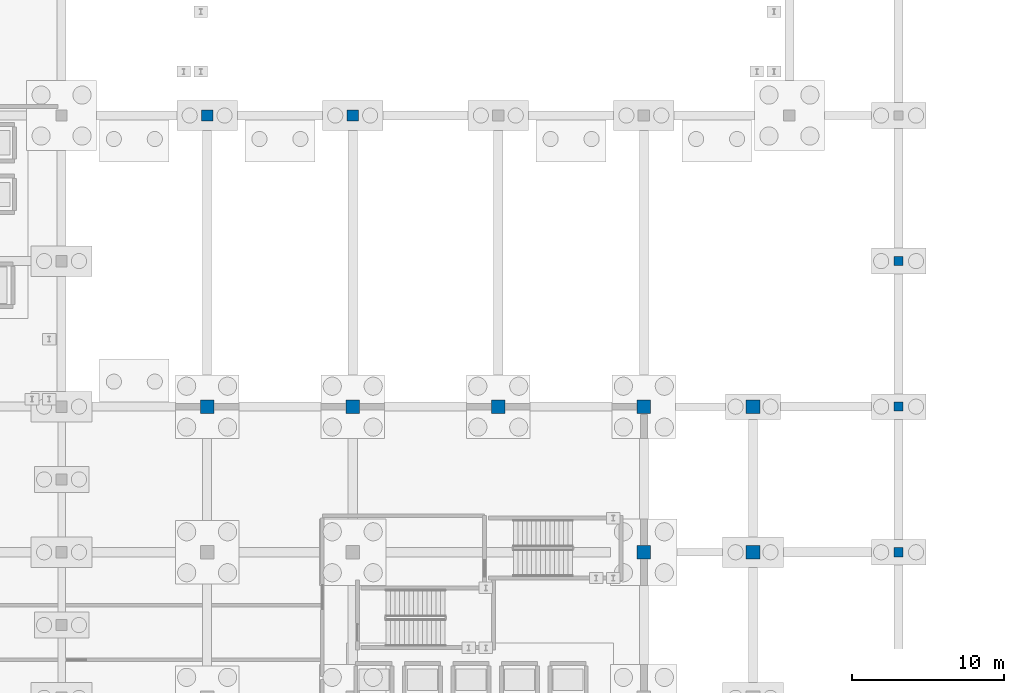
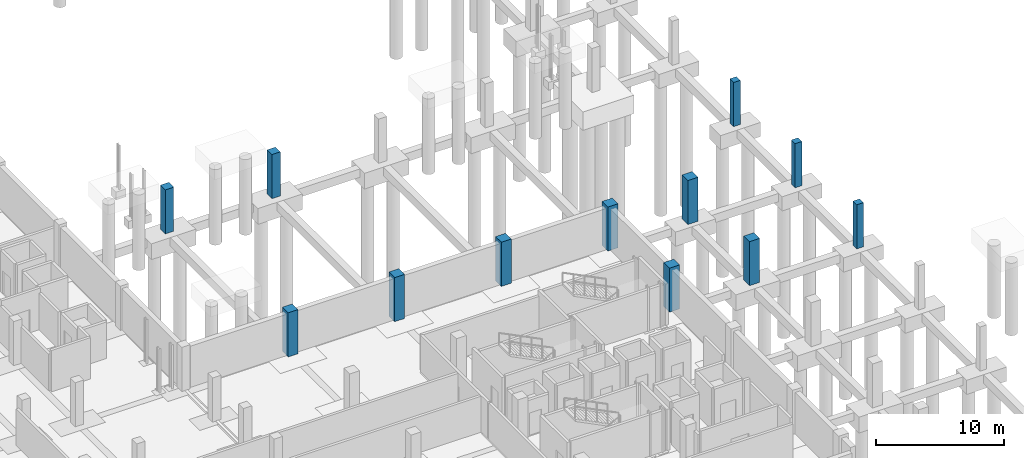
# One storey, part 32 of 54: 12 columns.
"""IFC4 building model written with IfcOpenShell, lengths in metres."""

from ifc_helpers import new_model, si_unit, direction, frame, origin, origin_2d, place, context, subcontext, project, spatial, rectangle, extrude, material, material_profile, profile_set, type_object, element, save


model = new_model("IFC4")

# Units and contexts
model_context = context("Model", 3, precision=1e-05, world=origin(), true_north=direction((0.0, 1.0)))
body_context = subcontext(model_context, "Body", "Model", "MODEL_VIEW")
ifc_project = project(units=[si_unit("LENGTHUNIT", "METRE"), si_unit("AREAUNIT", "SQUARE_METRE"), si_unit("VOLUMEUNIT", "CUBIC_METRE"), si_unit("PLANEANGLEUNIT", "RADIAN"), si_unit("MASSUNIT", "GRAM", prefix="KILO")], contexts=[model_context])

# Site, building, storey
site_placement = place(None, origin())
site = spatial("IfcSite", under=ifc_project, at=site_placement, CompositionType="ELEMENT")
building_placement = place(site_placement, origin())
building = spatial("IfcBuilding", under=site, at=building_placement, Name="Zevrakil Square Congress Hotel", CompositionType="ELEMENT")
storey_placement = place(building_placement, frame((0.0, 0.0, -8.39990234375)))
storey = spatial("IfcBuildingStorey", under=building, at=storey_placement, Name="B2", CompositionType="ELEMENT", Elevation=-8.39990234375)

# Columns
ifc_material_1 = material(Name="Concrete C40/50", Category="concrete")
ifc_material_profile_1 = material_profile(ifc_material_1, rectangle(XDim=0.60009765625, YDim=0.60009765625, at=origin_2d()), Name="RC 600x600")
ifc_profile_set_1 = profile_set([ifc_material_profile_1], Name="Concrete C40/50")
column_type_1 = type_object("IfcColumnType", Name="COL-RC600", PredefinedType="COLUMN", material=ifc_profile_set_1)
for number, where, z_axis, x_axis, name in (
    (1, (172.800048828125, 36.0, 0.0), (0.0, 0.0, 1.0), (1.0, 0.0, 0.0), "B2 column C-246"),
    (2, (172.800048828125, 45.60009765625, 0.0), (0.0, 0.0, 1.0), (1.0, 0.0, 0.0), "B2 column C-247"),
    (3, (172.800048828125, 55.199951171875, 0.0), (0.0, 0.0, 1.0), (1.0, 0.0, 0.0), "B2 column C-248"),
):
    element("IfcColumn", number, at=place(storey_placement, frame(where, z_axis=z_axis, x_axis=x_axis)), inside=storey, type_object=column_type_1, Name=name, PredefinedType="COLUMN", context=body_context, shape_type="SweptSolid", body=[
        extrude(rectangle(XDim=0.60009765625, YDim=0.60009765625, at=origin_2d()), origin(), (0.0, 0.0, 1.0), 4.199951171875),
    ])
ifc_material_2 = material(Name="Concrete C40/50", Category="concrete")
ifc_material_profile_2 = material_profile(ifc_material_2, rectangle(XDim=0.75, YDim=0.75, at=origin_2d()), Name="RC 750x750")
ifc_profile_set_2 = profile_set([ifc_material_profile_2], Name="Concrete C40/50")
column_type_2 = type_object("IfcColumnType", Name="COL-RC750", PredefinedType="COLUMN", material=ifc_profile_set_2)
for number, where, z_axis, x_axis, name in (
    (4, (127.199951171875, 64.800048828125, 0.0), (0.0, 0.0, 1.0), (1.0, 0.0, 0.0), "B2 column C-201"),
    (5, (136.800048828125, 64.800048828125, 0.0), (0.0, 0.0, 1.0), (1.0, 0.0, 0.0), "B2 column C-210"),
):
    element("IfcColumn", number, at=place(storey_placement, frame(where, z_axis=z_axis, x_axis=x_axis)), inside=storey, type_object=column_type_2, Name=name, PredefinedType="COLUMN", context=body_context, shape_type="SweptSolid", body=[
        extrude(rectangle(XDim=0.75, YDim=0.75, at=origin_2d()), origin(), (0.0, 0.0, 1.0), 4.199951171875),
    ])
ifc_material_3 = material(Name="Concrete C40/50", Category="concrete")
ifc_material_profile_3 = material_profile(ifc_material_3, rectangle(XDim=0.89990234375, YDim=0.89990234375, at=origin_2d()), Name="RC 900x900")
ifc_profile_set_3 = profile_set([ifc_material_profile_3], Name="Concrete C40/50")
column_type_3 = type_object("IfcColumnType", Name="COL-RC900", PredefinedType="COLUMN", material=ifc_profile_set_3)
for number, where, z_axis, x_axis, name in (
    (6, (127.199951171875, 45.60009765625, 0.0), (0.0, 0.0, 1.0), (1.0, 0.0, 0.0), "B2 column C-200"),
    (7, (136.800048828125, 45.60009765625, 0.0), (0.0, 0.0, 1.0), (1.0, 0.0, 0.0), "B2 column C-209"),
    (8, (146.39990234375, 45.60009765625, 0.0), (0.0, 0.0, 1.0), (1.0, 0.0, 0.0), "B2 column C-216"),
    (9, (156.0, 36.0, 0.0), (0.0, 0.0, 1.0), (1.0, 0.0, 0.0), "B2 column C-224"),
    (10, (156.0, 45.60009765625, 0.0), (0.0, 0.0, 1.0), (1.0, 0.0, 0.0), "B2 column C-225"),
    (11, (163.199951171875, 36.0, 0.0), (0.0, 0.0, 1.0), (1.0, 0.0, 0.0), "B2 column C-232"),
    (12, (163.199951171875, 45.60009765625, 0.0), (0.0, 0.0, 1.0), (1.0, 0.0, 0.0), "B2 column C-233"),
):
    element("IfcColumn", number, at=place(storey_placement, frame(where, z_axis=z_axis, x_axis=x_axis)), inside=storey, type_object=column_type_3, Name=name, PredefinedType="COLUMN", context=body_context, shape_type="SweptSolid", body=[
        extrude(rectangle(XDim=0.89990234375, YDim=0.89990234375, at=origin_2d()), origin(), (0.0, 0.0, 1.0), 4.199951171875),
    ])

save(model, "model.ifc")
